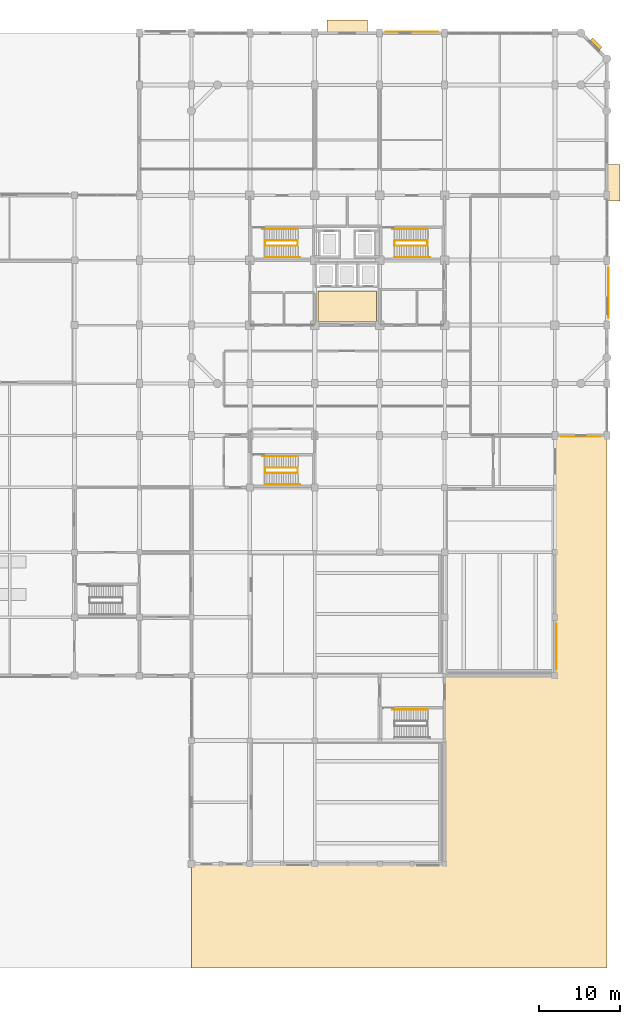
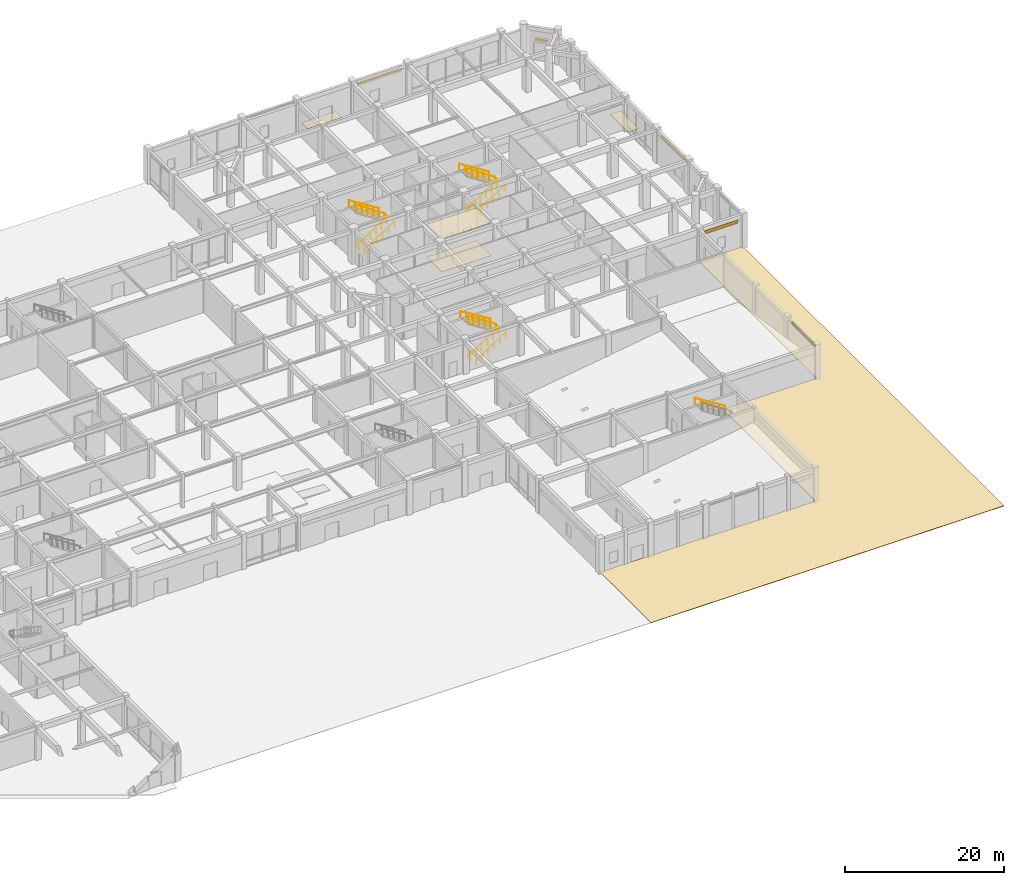
# One storey, part 39 of 40: 13 railings, 9 coverings, 1 shading device.
"""IFC4 building model written with IfcOpenShell, lengths in metres."""

from ifc_helpers import new_model, si_unit, direction, frame, origin, origin_2d, place, context, subcontext, project, spatial, polyline, rectangle, circle, outline, extrude, material, layer, layer_set, type_object, element, save


model = new_model("IFC4")

# Units and contexts
model_context = context("Model", 3, precision=1e-05, world=origin(), true_north=direction((0.0, 1.0)))
body_context = subcontext(model_context, "Body", "Model", "MODEL_VIEW")
ifc_project = project(units=[si_unit("LENGTHUNIT", "METRE"), si_unit("AREAUNIT", "SQUARE_METRE"), si_unit("VOLUMEUNIT", "CUBIC_METRE"), si_unit("PLANEANGLEUNIT", "RADIAN"), si_unit("MASSUNIT", "GRAM", prefix="KILO")], contexts=[model_context])

# Site, building, storey
site_placement = place(None, origin())
site = spatial("IfcSite", under=ifc_project, at=site_placement, CompositionType="ELEMENT")
building_placement = place(site_placement, origin())
building = spatial("IfcBuilding", under=site, at=building_placement, Name="Vellmiral Cinema and Media Centre", CompositionType="ELEMENT")
storey_placement = place(building_placement, origin())
storey = spatial("IfcBuildingStorey", under=building, at=storey_placement, Name="L00", CompositionType="ELEMENT", Elevation=0.0)

# Coverings
ifc_material_1 = material(Name="Micro-Perforated Acoustic Gypsum Ceiling")
ifc_layer_1 = layer(ifc_material_1, 0.0400390625, Name="Micro-Perforated Acoustic Gypsum Ceiling")
ifc_layer_set_1 = layer_set([ifc_layer_1], Name="Micro-Perforated Acoustic Gypsum Ceiling")
covering_type_1 = type_object("IfcCoveringType", Name="COV-AC-CEILING", PredefinedType="CEILING", material=ifc_layer_set_1)
covering_1_placement = place(storey_placement, frame((0.0, 0.0, 5.0400390625)))
element("IfcCovering", 1, at=covering_1_placement, inside=storey, type_object=covering_type_1, Name="Acoustic Lobby Ceiling L00", PredefinedType="CEILING", context=body_context, shape_type="SweptSolid", body=[
    extrude(outline(polyline([(132.39990234375, 79.60009765625), (139.60009765625, 79.60009765625), (139.60009765625, 83.39990234375), (132.39990234375, 83.39990234375), (132.39990234375, 79.60009765625)])), origin(), (0.0, 0.0, 1.0), 0.0400390625),
])
ifc_material_2 = material(Name="Basel Rhine Sandstone Paving", Category="masonry")
ifc_layer_2 = layer(ifc_material_2, 0.06005859375, Name="Basel Rhine Sandstone Paving")
ifc_layer_set_2 = layer_set([ifc_layer_2], Name="Basel Rhine Sandstone Paving")
covering_type_2 = type_object("IfcCoveringType", Name="COV-PROM-PAVING", PredefinedType="USERDEFINED", material=ifc_layer_set_2)
covering_2_placement = place(storey_placement, frame((0.0, 0.0, -0.06005859375)))
element("IfcCovering", 2, at=covering_2_placement, inside=storey, type_object=covering_type_2, Name="Rhine Promenade and Courtyard Stone Paving SE-HARBOUR-QUAY", ObjectType="PAVING", PredefinedType="USERDEFINED", context=body_context, shape_type="SweptSolid", body=[
    extrude(outline(polyline([(116.800048828125, 0.0), (168.0, 0.0), (168.0, 65.60009765625), (161.60009765625, 65.60009765625), (161.60009765625, 36.0), (148.0, 36.0), (148.0, 12.800048828125), (116.800048828125, 12.800048828125), (116.800048828125, 0.0)])), origin(), (0.0, 0.0, 1.0), 0.06005859375),
])
covering_3_placement = place(storey_placement, frame((0.0, 0.0, -0.06005859375)))
element("IfcCovering", 3, at=covering_3_placement, inside=storey, type_object=covering_type_2, Name="Rhine Promenade and Courtyard Stone Paving TOWER-THRESHOLDS", ObjectType="PAVING", PredefinedType="USERDEFINED", context=body_context, shape_type="SweptSolid", body=[
    extrude(outline(polyline([(133.5, 115.199951171875), (138.5, 115.199951171875), (138.5, 116.800048828125), (133.5, 116.800048828125), (133.5, 115.199951171875)])), origin(), (0.0, 0.0, 1.0), 0.06005859375),
])
covering_4_placement = place(storey_placement, frame((0.0, 0.0, -0.06005859375)))
element("IfcCovering", 4, at=covering_4_placement, inside=storey, type_object=covering_type_2, Name="Rhine Promenade and Courtyard Stone Paving EAST-THRESHOLD", ObjectType="PAVING", PredefinedType="USERDEFINED", context=body_context, shape_type="SweptSolid", body=[
    extrude(outline(polyline([(168.0, 94.5), (169.60009765625, 94.5), (169.60009765625, 99.0), (168.0, 99.0), (168.0, 94.5)])), origin(), (0.0, 0.0, 1.0), 0.06005859375),
])
ifc_material_3 = material(Name="Honed Terrazzo Acoustic Floor Finish")
ifc_layer_3 = layer(ifc_material_3, 0.030029296875, Name="Honed Terrazzo Acoustic Floor Finish")
ifc_layer_set_3 = layer_set([ifc_layer_3], Name="Honed Terrazzo Acoustic Floor Finish")
covering_type_3 = type_object("IfcCoveringType", Name="COV-TERR-FLOORING", PredefinedType="FLOORING", material=ifc_layer_set_3)
covering_5_placement = place(storey_placement, origin())
element("IfcCovering", 5, at=covering_5_placement, inside=storey, type_object=covering_type_3, Name="Terrazzo Lobby Flooring L00", PredefinedType="FLOORING", context=body_context, shape_type="SweptSolid", body=[
    extrude(outline(polyline([(132.39990234375, 79.60009765625), (139.60009765625, 79.60009765625), (139.60009765625, 83.39990234375), (132.39990234375, 83.39990234375), (132.39990234375, 79.60009765625)])), origin(), (0.0, 0.0, 1.0), 0.030029296875),
])
ifc_material_4 = material(Name="Polychrome Trencadis Ceramic Mosaic")
ifc_layer_4 = layer(ifc_material_4, 0.034912109375, Name="Polychrome Trencadis Ceramic Mosaic")
ifc_layer_set_4 = layer_set([ifc_layer_4], Name="Polychrome Trencadis Ceramic Mosaic")
covering_type_4 = type_object("IfcCoveringType", Name="COV-TRENCADIS-CLAD", PredefinedType="CLADDING", material=ifc_layer_set_4)
covering_6_placement = place(storey_placement, frame((0.0, 0.0, 4.2548828125)))
element("IfcCovering", 6, at=covering_6_placement, inside=storey, type_object=covering_type_4, Name="Trencadis Spandrel Mosaic L00-032", PredefinedType="CLADDING", context=body_context, shape_type="SweptSolid", body=[
    extrude(outline(polyline([(161.80810546875, 36.800048828125), (161.80810546875, 42.425048828125), (161.77294921875, 42.425048828125), (161.77294921875, 36.800048828125), (161.80810546875, 36.800048828125)])), origin(), (0.0, 0.0, 1.0), 0.480224609375),
])
covering_7_placement = place(storey_placement, frame((0.0, 0.0, 3.9599609375)))
element("IfcCovering", 7, at=covering_7_placement, inside=storey, type_object=covering_type_4, Name="Trencadis Spandrel Mosaic L00-036", PredefinedType="CLADDING", context=body_context, shape_type="SweptSolid", body=[
    extrude(outline(polyline([(162.375, 65.422119140625), (167.22509765625, 65.422119140625), (167.22509765625, 65.45703125), (162.375, 65.45703125), (162.375, 65.422119140625)])), origin(), (0.0, 0.0, 1.0), 0.47998046875),
])
covering_8_placement = place(storey_placement, frame((0.0, 0.0, 3.9599609375)))
element("IfcCovering", 8, at=covering_8_placement, inside=storey, type_object=covering_type_4, Name="Trencadis Spandrel Mosaic L00-040", PredefinedType="CLADDING", context=body_context, shape_type="SweptSolid", body=[
    extrude(outline(polyline([(168.2080078125, 80.10009765625), (168.2080078125, 86.300048828125), (168.173095703125, 86.300048828125), (168.173095703125, 80.10009765625), (168.2080078125, 80.10009765625)])), origin(), (0.0, 0.0, 1.0), 0.47998046875),
])
covering_9_placement = place(storey_placement, frame((0.0, 0.0, 3.9599609375)))
element("IfcCovering", 9, at=covering_9_placement, inside=storey, type_object=covering_type_4, Name="Trencadis Spandrel Mosaic L00-048", PredefinedType="CLADDING", context=body_context, shape_type="SweptSolid", body=[
    extrude(outline(polyline([(147.22509765625, 115.3779296875), (140.77490234375, 115.3779296875), (140.77490234375, 115.343017578125), (147.22509765625, 115.343017578125), (147.22509765625, 115.3779296875)])), origin(), (0.0, 0.0, 1.0), 0.47998046875),
])

# Railings
ifc_material_5 = material(Name="Brushed Stainless Steel Handrail", Category="steel")
railing_type_1 = type_object("IfcRailingType", Name="RL-HANDRAIL-900", PredefinedType="HANDRAIL", material=ifc_material_5)
railing_1_placement = place(storey_placement, frame((125.85009765625, 59.56005859375, 0.179931640625)))
element("IfcRailing", 10, at=railing_1_placement, inside=storey, type_object=railing_type_1, Name="Stair Wall Handrail ST-P6 L00-1", PredefinedType="HANDRAIL", context=body_context, shape_type="SweptSolid", body=[
    extrude(circle(Radius=0.02392578125, at=origin_2d()), frame((0.0, 0.0, 0.8759765625), z_axis=(0.849636482215, 0.0, 0.527368797038), x_axis=(0.0, 1.0, 0.0)), (0.0, 0.0, 1.0), 5.11962890625),
    extrude(circle(Radius=0.02099609375, at=origin_2d()), origin(), (0.0, 0.0, 1.0), 0.851806640625),
    extrude(circle(Radius=0.02099609375, at=origin_2d()), frame((0.869873046875, 0.0, 0.5400390625)), (0.0, 0.0, 1.0), 0.851806640625),
    extrude(circle(Radius=0.02099609375, at=origin_2d()), frame((1.739990234375, 0.0, 1.080078125)), (0.0, 0.0, 1.0), 0.851806640625),
    extrude(circle(Radius=0.02099609375, at=origin_2d()), frame((2.60986328125, 0.0, 1.619873046875)), (0.0, 0.0, 1.0), 0.851806640625),
    extrude(circle(Radius=0.02099609375, at=origin_2d()), frame((3.47998046875, 0.0, 2.159912109375)), (0.0, 0.0, 1.0), 0.851806640625),
    extrude(circle(Radius=0.02099609375, at=origin_2d()), frame((4.349853515625, 0.0, 2.699951171875)), (0.0, 0.0, 1.0), 0.851806640625),
])
for number, where, name in (
    (11, (129.909912109375, 63.0400390625, 2.8798828125), "Stair Wall Handrail ST-P6 L00-2"),
    (12, (145.909912109375, 31.840087890625, 2.8798828125), "Stair Wall Handrail ST-P8 L00-2"),
):
    element("IfcRailing", number, at=place(storey_placement, frame(where)), inside=storey, type_object=railing_type_1, Name=name, PredefinedType="HANDRAIL", context=body_context, shape_type="SweptSolid", body=[
        extrude(circle(Radius=0.02392578125, at=origin_2d()), frame((0.0, 0.0, 0.8759765625), z_axis=(-0.849615114927, 0.0, 0.52740322002), x_axis=(0.0, -1.0, 0.0)), (0.0, 0.0, 1.0), 5.119873046875),
        extrude(circle(Radius=0.02099609375, at=origin_2d()), origin(), (0.0, 0.0, 1.0), 0.851806640625),
        extrude(circle(Radius=0.02099609375, at=origin_2d()), frame((-0.869873046875, 0.0, 0.5400390625)), (0.0, 0.0, 1.0), 0.851806640625),
        extrude(circle(Radius=0.02099609375, at=origin_2d()), frame((-1.739990234375, 0.0, 1.080078125)), (0.0, 0.0, 1.0), 0.851806640625),
        extrude(circle(Radius=0.02099609375, at=origin_2d()), frame((-2.60986328125, 0.0, 1.6201171875)), (0.0, 0.0, 1.0), 0.851806640625),
        extrude(circle(Radius=0.02099609375, at=origin_2d()), frame((-3.47998046875, 0.0, 2.16015625)), (0.0, 0.0, 1.0), 0.851806640625),
        extrude(circle(Radius=0.02099609375, at=origin_2d()), frame((-4.349853515625, 0.0, 2.7001953125)), (0.0, 0.0, 1.0), 0.851806640625),
    ])
railing_2_placement = place(storey_placement, frame((125.85009765625, 87.56005859375, 0.179931640625)))
element("IfcRailing", 13, at=railing_2_placement, inside=storey, type_object=railing_type_1, Name="Stair Wall Handrail ST-T1 L00-1", PredefinedType="HANDRAIL", context=body_context, shape_type="SweptSolid", body=[
    extrude(circle(Radius=0.02392578125, at=origin_2d()), frame((0.0, 0.0, 0.8759765625), z_axis=(0.849636482215, 0.0, 0.527368797038), x_axis=(0.0, 1.0, 0.0)), (0.0, 0.0, 1.0), 5.11962890625),
    extrude(circle(Radius=0.02099609375, at=origin_2d()), origin(), (0.0, 0.0, 1.0), 0.851806640625),
    extrude(circle(Radius=0.02099609375, at=origin_2d()), frame((0.869873046875, 0.0, 0.5400390625)), (0.0, 0.0, 1.0), 0.851806640625),
    extrude(circle(Radius=0.02099609375, at=origin_2d()), frame((1.739990234375, 0.0, 1.080078125)), (0.0, 0.0, 1.0), 0.851806640625),
    extrude(circle(Radius=0.02099609375, at=origin_2d()), frame((2.60986328125, 0.0, 1.619873046875)), (0.0, 0.0, 1.0), 0.851806640625),
    extrude(circle(Radius=0.02099609375, at=origin_2d()), frame((3.47998046875, 0.0, 2.159912109375)), (0.0, 0.0, 1.0), 0.851806640625),
    extrude(circle(Radius=0.02099609375, at=origin_2d()), frame((4.349853515625, 0.0, 2.699951171875)), (0.0, 0.0, 1.0), 0.851806640625),
])
railing_3_placement = place(storey_placement, frame((129.909912109375, 91.0400390625, 2.8798828125)))
element("IfcRailing", 14, at=railing_3_placement, inside=storey, type_object=railing_type_1, Name="Stair Wall Handrail ST-T1 L00-2", PredefinedType="HANDRAIL", context=body_context, shape_type="SweptSolid", body=[
    extrude(circle(Radius=0.02392578125, at=origin_2d()), frame((0.0, 0.0, 0.8759765625), z_axis=(-0.849615114927, 0.0, 0.52740322002), x_axis=(0.0, -1.0, 0.0)), (0.0, 0.0, 1.0), 5.119873046875),
    extrude(circle(Radius=0.02099609375, at=origin_2d()), origin(), (0.0, 0.0, 1.0), 0.851806640625),
    extrude(circle(Radius=0.02099609375, at=origin_2d()), frame((-0.869873046875, 0.0, 0.5400390625)), (0.0, 0.0, 1.0), 0.851806640625),
    extrude(circle(Radius=0.02099609375, at=origin_2d()), frame((-1.739990234375, 0.0, 1.080078125)), (0.0, 0.0, 1.0), 0.851806640625),
    extrude(circle(Radius=0.02099609375, at=origin_2d()), frame((-2.60986328125, 0.0, 1.6201171875)), (0.0, 0.0, 1.0), 0.851806640625),
    extrude(circle(Radius=0.02099609375, at=origin_2d()), frame((-3.47998046875, 0.0, 2.16015625)), (0.0, 0.0, 1.0), 0.851806640625),
    extrude(circle(Radius=0.02099609375, at=origin_2d()), frame((-4.349853515625, 0.0, 2.7001953125)), (0.0, 0.0, 1.0), 0.851806640625),
])
railing_4_placement = place(storey_placement, frame((141.85009765625, 87.56005859375, 0.179931640625)))
element("IfcRailing", 15, at=railing_4_placement, inside=storey, type_object=railing_type_1, Name="Stair Wall Handrail ST-T2 L00-1", PredefinedType="HANDRAIL", context=body_context, shape_type="SweptSolid", body=[
    extrude(circle(Radius=0.02392578125, at=origin_2d()), frame((0.0, 0.0, 0.8759765625), z_axis=(0.849636482215, 0.0, 0.527368797038), x_axis=(0.0, 1.0, 0.0)), (0.0, 0.0, 1.0), 5.11962890625),
    extrude(circle(Radius=0.02099609375, at=origin_2d()), origin(), (0.0, 0.0, 1.0), 0.851806640625),
    extrude(circle(Radius=0.02099609375, at=origin_2d()), frame((0.869873046875, 0.0, 0.5400390625)), (0.0, 0.0, 1.0), 0.851806640625),
    extrude(circle(Radius=0.02099609375, at=origin_2d()), frame((1.739990234375, 0.0, 1.080078125)), (0.0, 0.0, 1.0), 0.851806640625),
    extrude(circle(Radius=0.02099609375, at=origin_2d()), frame((2.60986328125, 0.0, 1.619873046875)), (0.0, 0.0, 1.0), 0.851806640625),
    extrude(circle(Radius=0.02099609375, at=origin_2d()), frame((3.47998046875, 0.0, 2.159912109375)), (0.0, 0.0, 1.0), 0.851806640625),
    extrude(circle(Radius=0.02099609375, at=origin_2d()), frame((4.349853515625, 0.0, 2.699951171875)), (0.0, 0.0, 1.0), 0.851806640625),
])
railing_5_placement = place(storey_placement, frame((145.909912109375, 91.0400390625, 2.8798828125)))
element("IfcRailing", 16, at=railing_5_placement, inside=storey, type_object=railing_type_1, Name="Stair Wall Handrail ST-T2 L00-2", PredefinedType="HANDRAIL", context=body_context, shape_type="SweptSolid", body=[
    extrude(circle(Radius=0.02392578125, at=origin_2d()), frame((0.0, 0.0, 0.8759765625), z_axis=(-0.849615114927, 0.0, 0.52740322002), x_axis=(0.0, -1.0, 0.0)), (0.0, 0.0, 1.0), 5.119873046875),
    extrude(circle(Radius=0.02099609375, at=origin_2d()), origin(), (0.0, 0.0, 1.0), 0.851806640625),
    extrude(circle(Radius=0.02099609375, at=origin_2d()), frame((-0.869873046875, 0.0, 0.5400390625)), (0.0, 0.0, 1.0), 0.851806640625),
    extrude(circle(Radius=0.02099609375, at=origin_2d()), frame((-1.739990234375, 0.0, 1.080078125)), (0.0, 0.0, 1.0), 0.851806640625),
    extrude(circle(Radius=0.02099609375, at=origin_2d()), frame((-2.60986328125, 0.0, 1.6201171875)), (0.0, 0.0, 1.0), 0.851806640625),
    extrude(circle(Radius=0.02099609375, at=origin_2d()), frame((-3.47998046875, 0.0, 2.16015625)), (0.0, 0.0, 1.0), 0.851806640625),
    extrude(circle(Radius=0.02099609375, at=origin_2d()), frame((-4.349853515625, 0.0, 2.7001953125)), (0.0, 0.0, 1.0), 0.851806640625),
])
ifc_material_6 = material(Name="Painted Steel Stair Guardrail", Category="steel")
railing_type_2 = type_object("IfcRailingType", Name="RL-STAIR-GUARD-1120", PredefinedType="GUARDRAIL", material=ifc_material_6)
railing_6_placement = place(storey_placement, frame((125.85009765625, 61.580078125, 0.0)))
element("IfcRailing", 17, at=railing_6_placement, inside=storey, type_object=railing_type_2, Name="Stair Well Guard ST-P6 L00-A", PredefinedType="GUARDRAIL", context=body_context, shape_type="SweptSolid", body=[
    extrude(circle(Radius=0.02392578125, at=origin_2d()), frame((0.0, 0.0, 1.09619140625), z_axis=(0.0, -1.0, 0.0), x_axis=(1.0, 0.0, 0.0)), (0.0, 0.0, 1.0), 0.60009765625),
    extrude(circle(Radius=0.02392578125, at=origin_2d()), frame((0.0, -0.60009765625, 1.09619140625), z_axis=(0.832673761873, 0.0, 0.553763854264), x_axis=(0.0, 1.0, 0.0)), (0.0, 0.0, 1.0), 4.875732421875),
    extrude(circle(Radius=0.02392578125, at=origin_2d()), frame((4.059814453125, -0.60009765625, 3.7958984375), z_axis=(0.0, 1.0, 0.0), x_axis=(-1.0, 0.0, 0.0)), (0.0, 0.0, 1.0), 0.64013671875),
    extrude(circle(Radius=0.02099609375, at=origin_2d()), origin(), (0.0, 0.0, 1.0), 1.072021484375),
    extrude(circle(Radius=0.02099609375, at=origin_2d()), frame((0.0, -0.60009765625, 0.0)), (0.0, 0.0, 1.0), 1.072021484375),
    extrude(circle(Radius=0.02099609375, at=origin_2d()), frame((0.81201171875, -0.60009765625, 0.5400390625)), (0.0, 0.0, 1.0), 1.072021484375),
    extrude(circle(Radius=0.02099609375, at=origin_2d()), frame((1.6240234375, -0.60009765625, 1.080078125)), (0.0, 0.0, 1.0), 1.072021484375),
    extrude(circle(Radius=0.02099609375, at=origin_2d()), frame((2.435791015625, -0.60009765625, 1.619873046875)), (0.0, 0.0, 1.0), 1.072021484375),
    extrude(circle(Radius=0.02099609375, at=origin_2d()), frame((3.247802734375, -0.60009765625, 2.159912109375)), (0.0, 0.0, 1.0), 1.072021484375),
    extrude(circle(Radius=0.02099609375, at=origin_2d()), frame((4.059814453125, -0.60009765625, 2.699951171875)), (0.0, 0.0, 1.0), 1.072021484375),
    extrude(circle(Radius=0.02099609375, at=origin_2d()), frame((4.059814453125, 0.0400390625, 2.699951171875)), (0.0, 0.0, 1.0), 1.072021484375),
])
railing_7_placement = place(storey_placement, frame((129.909912109375, 61.6201171875, 2.699951171875)))
element("IfcRailing", 18, at=railing_7_placement, inside=storey, type_object=railing_type_2, Name="Stair Well Guard ST-P6 L00-B", PredefinedType="GUARDRAIL", context=body_context, shape_type="SweptSolid", body=[
    extrude(circle(Radius=0.02392578125, at=origin_2d()), frame((0.0, 0.0, 1.09619140625), z_axis=(-0.832673761873, 0.0, 0.553763854264), x_axis=(0.0, -1.0, 0.0)), (0.0, 0.0, 1.0), 4.875732421875),
    extrude(circle(Radius=0.02099609375, at=origin_2d()), origin(), (0.0, 0.0, 1.0), 1.072021484375),
    extrude(circle(Radius=0.02099609375, at=origin_2d()), frame((-0.81201171875, 0.0, 0.5400390625)), (0.0, 0.0, 1.0), 1.072021484375),
    extrude(circle(Radius=0.02099609375, at=origin_2d()), frame((-1.6240234375, 0.0, 1.080078125)), (0.0, 0.0, 1.0), 1.072021484375),
    extrude(circle(Radius=0.02099609375, at=origin_2d()), frame((-2.435791015625, 0.0, 1.619873046875)), (0.0, 0.0, 1.0), 1.072021484375),
    extrude(circle(Radius=0.02099609375, at=origin_2d()), frame((-3.247802734375, 0.0, 2.159912109375)), (0.0, 0.0, 1.0), 1.072021484375),
    extrude(circle(Radius=0.02099609375, at=origin_2d()), frame((-4.059814453125, 0.0, 2.699951171875)), (0.0, 0.0, 1.0), 1.072021484375),
])
railing_8_placement = place(storey_placement, frame((125.85009765625, 89.580078125, 0.0)))
element("IfcRailing", 19, at=railing_8_placement, inside=storey, type_object=railing_type_2, Name="Stair Well Guard ST-T1 L00-A", PredefinedType="GUARDRAIL", context=body_context, shape_type="SweptSolid", body=[
    extrude(circle(Radius=0.02392578125, at=origin_2d()), frame((0.0, 0.0, 1.09619140625), z_axis=(0.0, -1.0, 0.0), x_axis=(1.0, 0.0, 0.0)), (0.0, 0.0, 1.0), 0.60009765625),
    extrude(circle(Radius=0.02392578125, at=origin_2d()), frame((0.0, -0.60009765625, 1.09619140625), z_axis=(0.832673761873, 0.0, 0.553763854264), x_axis=(0.0, 1.0, 0.0)), (0.0, 0.0, 1.0), 4.875732421875),
    extrude(circle(Radius=0.02392578125, at=origin_2d()), frame((4.059814453125, -0.60009765625, 3.7958984375), z_axis=(0.0, 1.0, 0.0), x_axis=(-1.0, 0.0, 0.0)), (0.0, 0.0, 1.0), 0.64013671875),
    extrude(circle(Radius=0.02099609375, at=origin_2d()), origin(), (0.0, 0.0, 1.0), 1.072021484375),
    extrude(circle(Radius=0.02099609375, at=origin_2d()), frame((0.0, -0.60009765625, 0.0)), (0.0, 0.0, 1.0), 1.072021484375),
    extrude(circle(Radius=0.02099609375, at=origin_2d()), frame((0.81201171875, -0.60009765625, 0.5400390625)), (0.0, 0.0, 1.0), 1.072021484375),
    extrude(circle(Radius=0.02099609375, at=origin_2d()), frame((1.6240234375, -0.60009765625, 1.080078125)), (0.0, 0.0, 1.0), 1.072021484375),
    extrude(circle(Radius=0.02099609375, at=origin_2d()), frame((2.435791015625, -0.60009765625, 1.619873046875)), (0.0, 0.0, 1.0), 1.072021484375),
    extrude(circle(Radius=0.02099609375, at=origin_2d()), frame((3.247802734375, -0.60009765625, 2.159912109375)), (0.0, 0.0, 1.0), 1.072021484375),
    extrude(circle(Radius=0.02099609375, at=origin_2d()), frame((4.059814453125, -0.60009765625, 2.699951171875)), (0.0, 0.0, 1.0), 1.072021484375),
    extrude(circle(Radius=0.02099609375, at=origin_2d()), frame((4.059814453125, 0.0400390625, 2.699951171875)), (0.0, 0.0, 1.0), 1.072021484375),
])
railing_9_placement = place(storey_placement, frame((129.909912109375, 89.6201171875, 2.699951171875)))
element("IfcRailing", 20, at=railing_9_placement, inside=storey, type_object=railing_type_2, Name="Stair Well Guard ST-T1 L00-B", PredefinedType="GUARDRAIL", context=body_context, shape_type="SweptSolid", body=[
    extrude(circle(Radius=0.02392578125, at=origin_2d()), frame((0.0, 0.0, 1.09619140625), z_axis=(-0.832673761873, 0.0, 0.553763854264), x_axis=(0.0, -1.0, 0.0)), (0.0, 0.0, 1.0), 4.875732421875),
    extrude(circle(Radius=0.02099609375, at=origin_2d()), origin(), (0.0, 0.0, 1.0), 1.072021484375),
    extrude(circle(Radius=0.02099609375, at=origin_2d()), frame((-0.81201171875, 0.0, 0.5400390625)), (0.0, 0.0, 1.0), 1.072021484375),
    extrude(circle(Radius=0.02099609375, at=origin_2d()), frame((-1.6240234375, 0.0, 1.080078125)), (0.0, 0.0, 1.0), 1.072021484375),
    extrude(circle(Radius=0.02099609375, at=origin_2d()), frame((-2.435791015625, 0.0, 1.619873046875)), (0.0, 0.0, 1.0), 1.072021484375),
    extrude(circle(Radius=0.02099609375, at=origin_2d()), frame((-3.247802734375, 0.0, 2.159912109375)), (0.0, 0.0, 1.0), 1.072021484375),
    extrude(circle(Radius=0.02099609375, at=origin_2d()), frame((-4.059814453125, 0.0, 2.699951171875)), (0.0, 0.0, 1.0), 1.072021484375),
])
railing_10_placement = place(storey_placement, frame((141.85009765625, 89.580078125, 0.0)))
element("IfcRailing", 21, at=railing_10_placement, inside=storey, type_object=railing_type_2, Name="Stair Well Guard ST-T2 L00-A", PredefinedType="GUARDRAIL", context=body_context, shape_type="SweptSolid", body=[
    extrude(circle(Radius=0.02392578125, at=origin_2d()), frame((0.0, 0.0, 1.09619140625), z_axis=(0.0, -1.0, 0.0), x_axis=(1.0, 0.0, 0.0)), (0.0, 0.0, 1.0), 0.60009765625),
    extrude(circle(Radius=0.02392578125, at=origin_2d()), frame((0.0, -0.60009765625, 1.09619140625), z_axis=(0.832673761873, 0.0, 0.553763854264), x_axis=(0.0, 1.0, 0.0)), (0.0, 0.0, 1.0), 4.875732421875),
    extrude(circle(Radius=0.02392578125, at=origin_2d()), frame((4.059814453125, -0.60009765625, 3.7958984375), z_axis=(0.0, 1.0, 0.0), x_axis=(-1.0, 0.0, 0.0)), (0.0, 0.0, 1.0), 0.64013671875),
    extrude(circle(Radius=0.02099609375, at=origin_2d()), origin(), (0.0, 0.0, 1.0), 1.072021484375),
    extrude(circle(Radius=0.02099609375, at=origin_2d()), frame((0.0, -0.60009765625, 0.0)), (0.0, 0.0, 1.0), 1.072021484375),
    extrude(circle(Radius=0.02099609375, at=origin_2d()), frame((0.81201171875, -0.60009765625, 0.5400390625)), (0.0, 0.0, 1.0), 1.072021484375),
    extrude(circle(Radius=0.02099609375, at=origin_2d()), frame((1.6240234375, -0.60009765625, 1.080078125)), (0.0, 0.0, 1.0), 1.072021484375),
    extrude(circle(Radius=0.02099609375, at=origin_2d()), frame((2.435791015625, -0.60009765625, 1.619873046875)), (0.0, 0.0, 1.0), 1.072021484375),
    extrude(circle(Radius=0.02099609375, at=origin_2d()), frame((3.247802734375, -0.60009765625, 2.159912109375)), (0.0, 0.0, 1.0), 1.072021484375),
    extrude(circle(Radius=0.02099609375, at=origin_2d()), frame((4.059814453125, -0.60009765625, 2.699951171875)), (0.0, 0.0, 1.0), 1.072021484375),
    extrude(circle(Radius=0.02099609375, at=origin_2d()), frame((4.059814453125, 0.0400390625, 2.699951171875)), (0.0, 0.0, 1.0), 1.072021484375),
])
railing_11_placement = place(storey_placement, frame((145.909912109375, 89.6201171875, 2.699951171875)))
element("IfcRailing", 22, at=railing_11_placement, inside=storey, type_object=railing_type_2, Name="Stair Well Guard ST-T2 L00-B", PredefinedType="GUARDRAIL", context=body_context, shape_type="SweptSolid", body=[
    extrude(circle(Radius=0.02392578125, at=origin_2d()), frame((0.0, 0.0, 1.09619140625), z_axis=(-0.832673761873, 0.0, 0.553763854264), x_axis=(0.0, -1.0, 0.0)), (0.0, 0.0, 1.0), 4.875732421875),
    extrude(circle(Radius=0.02099609375, at=origin_2d()), origin(), (0.0, 0.0, 1.0), 1.072021484375),
    extrude(circle(Radius=0.02099609375, at=origin_2d()), frame((-0.81201171875, 0.0, 0.5400390625)), (0.0, 0.0, 1.0), 1.072021484375),
    extrude(circle(Radius=0.02099609375, at=origin_2d()), frame((-1.6240234375, 0.0, 1.080078125)), (0.0, 0.0, 1.0), 1.072021484375),
    extrude(circle(Radius=0.02099609375, at=origin_2d()), frame((-2.435791015625, 0.0, 1.619873046875)), (0.0, 0.0, 1.0), 1.072021484375),
    extrude(circle(Radius=0.02099609375, at=origin_2d()), frame((-3.247802734375, 0.0, 2.159912109375)), (0.0, 0.0, 1.0), 1.072021484375),
    extrude(circle(Radius=0.02099609375, at=origin_2d()), frame((-4.059814453125, 0.0, 2.699951171875)), (0.0, 0.0, 1.0), 1.072021484375),
])

# Shading device
ifc_material_7 = material(Name="Glazed Polychrome Ceramic Louvre Blade", Category="ceramic")
shading_device_type = type_object("IfcShadingDeviceType", Name="SHD-CERAMIC-JALOUSIE", PredefinedType="JALOUSIE", material=ifc_material_7)
shading_device_placement = place(storey_placement, frame((166.66162109375, 113.861572265625, 2.75), z_axis=(0.0, 0.0, 1.0), x_axis=(-0.707106781187, 0.707106781187, 0.0)))
element("IfcShadingDevice", 23, at=shading_device_placement, inside=storey, type_object=shading_device_type, Name="Ceramic Sun-Shading Louvre L00-01", PredefinedType="JALOUSIE", context=body_context, shape_type="SweptSolid", body=[
    extrude(rectangle(XDim=1.60009765625, YDim=0.419921875, at=origin_2d()), origin(), (0.0, 0.0, 1.0), 0.280029296875),
])

save(model, "model.ifc")
